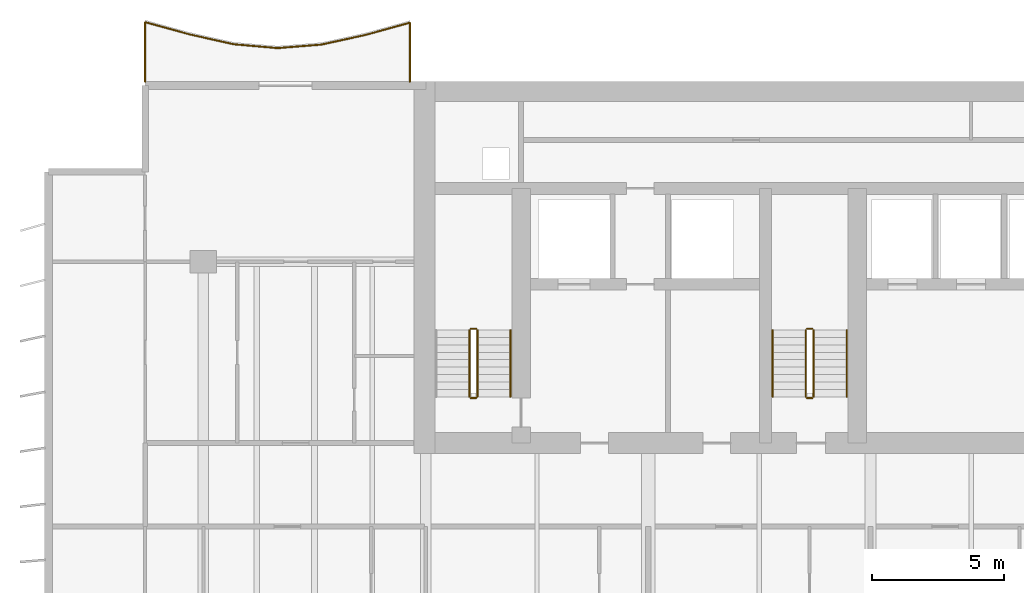
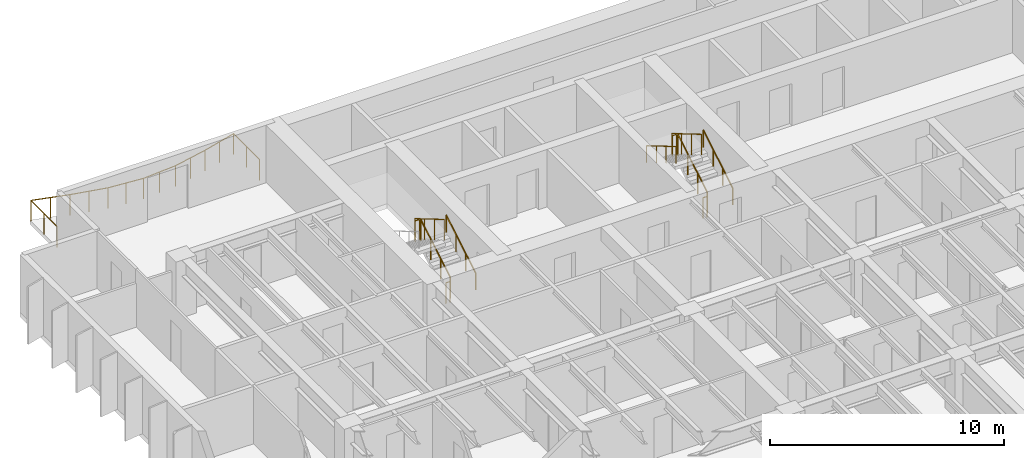
# One storey, part 17 of 19: 12 railings.
"""IFC4 building model written with IfcOpenShell, lengths in metres."""

import ifcopenshell
import ifcopenshell.guid

model = None  # the IFC model being written
_history = None  # IfcOwnerHistory: only IFC2X3 demands one
_inside = {}  # id of a spatial element -> (the spatial element, [elements in it])
_under = {}  # id of a project, library or spatial element -> (it, [spatial elements below it])
_declared = {}  # id of a project -> (the project, [libraries it declares])
_typed = {}  # id of a type object -> (the type object, [elements of that type])
_made_of = {}  # id of a material, layer set ... -> (it, [elements and type objects made of it])


def new_model(schema):
    """Start an empty IFC model of exactly this schema.

    Asked for "IFC4X3", IfcOpenShell would pick the latest addendum, in which some entities
    have other attributes; the version numbers below select the first issue.
    IFC2X3 requires an IfcOwnerHistory on every rooted entity: one is made here for all.
    """
    global model, _history
    if schema == "IFC4X3":
        model = ifcopenshell.file(schema_version=(4, 3, 0, 0))
    else:
        model = ifcopenshell.file(schema=schema)
    _inside.clear()
    _under.clear()
    _declared.clear()
    _typed.clear()
    _made_of.clear()
    _history = None
    if model.schema == "IFC2X3":
        org = make("IfcOrganization", Name="unknown")
        user = make(
            "IfcPersonAndOrganization",
            ThePerson=make("IfcPerson", FamilyName="unknown"),
            TheOrganization=org,
        )
        app = make(
            "IfcApplication",
            ApplicationDeveloper=org,
            Version="unknown",
            ApplicationFullName="unknown",
            ApplicationIdentifier="unknown",
        )
        _history = make(
            "IfcOwnerHistory",
            OwningUser=user,
            OwningApplication=app,
            ChangeAction="ADDED",
            CreationDate=0,
        )
    return model


def make(cls, **values):
    """One entity of the class cls with the attributes given. An attribute that is None is left unset."""
    return model.create_entity(
        cls, **{name: value for name, value in values.items() if value is not None}
    )


def rooted(cls, **values):
    """An entity with a GlobalId (a new one), such as an element, a storey or a relation."""
    return make(cls, GlobalId=ifcopenshell.guid.new(), OwnerHistory=_history, **values)


def si_unit(unit_type, name, prefix=None):
    """IfcSIUnit, for example si_unit("LENGTHUNIT", "METRE", prefix="MILLI")."""
    return make("IfcSIUnit", UnitType=unit_type, Prefix=prefix, Name=name)


def assignment(units):
    """IfcUnitAssignment: the units of a project."""
    return None if units is None else make("IfcUnitAssignment", Units=units)


def point(xyz):
    """IfcCartesianPoint."""
    return None if xyz is None else make("IfcCartesianPoint", Coordinates=xyz)


def direction(xyz):
    """IfcDirection."""
    return None if xyz is None else make("IfcDirection", DirectionRatios=xyz)


def frame(location, z_axis=None, x_axis=None):
    """IfcAxis2Placement3D, a coordinate frame: its origin and axes. An axis left out is left unset."""
    return make(
        "IfcAxis2Placement3D",
        Location=point(location),
        Axis=direction(z_axis),
        RefDirection=direction(x_axis),
    )


def frame_2d(location, x_axis=None):
    """IfcAxis2Placement2D, a coordinate frame in the plane: its origin and x axis."""
    return make(
        "IfcAxis2Placement2D", Location=point(location), RefDirection=direction(x_axis)
    )


def origin():
    """The frame at (0, 0, 0) with its axes left unset."""
    return frame((0.0, 0.0, 0.0))


def origin_2d():
    """The frame at (0, 0) in the plane with its x axis left unset."""
    return frame_2d((0.0, 0.0))


def place(relative_to, where):
    """IfcLocalPlacement: puts the frame where relative to a parent placement (None: the world)."""
    return make(
        "IfcLocalPlacement", PlacementRelTo=relative_to, RelativePlacement=where
    )


def context(
    kind, dimensions, precision=None, world=None, true_north=None, identifier=None
):
    """IfcGeometricRepresentationContext, for example the 3D "Model" context."""
    return make(
        "IfcGeometricRepresentationContext",
        ContextIdentifier=identifier,
        ContextType=kind,
        CoordinateSpaceDimension=dimensions,
        Precision=precision,
        WorldCoordinateSystem=world,
        TrueNorth=true_north,
    )


def subcontext(parent, identifier, kind, view, scale=None):
    """IfcGeometricRepresentationSubContext, for example "Body" below "Model"."""
    return make(
        "IfcGeometricRepresentationSubContext",
        ContextIdentifier=identifier,
        ContextType=kind,
        ParentContext=parent,
        TargetScale=scale,
        TargetView=view,
    )


def project(units=None, contexts=None):
    """IfcProject with its units and contexts."""
    return rooted(
        "IfcProject",
        Name="project",
        RepresentationContexts=contexts,
        UnitsInContext=assignment(units),
    )


def spatial(cls, under=None, at=None, **own):
    """A site, building, storey or space (cls), placed at a placement, below another one or the project."""
    s = rooted(cls, ObjectPlacement=at, **own)
    if under is not None:
        _under.setdefault(under.id(), (under, []))[1].append(s)
    return s


def profile(cls, at=None, kind="AREA", **sizes):
    """A parametric profile (cls). Its sizes go by their IFC names, for example OverallWidth=200.0."""
    return make(cls, ProfileType=kind, Position=at, **sizes)


def circle(**sizes):
    """IfcCircleProfileDef."""
    return profile("IfcCircleProfileDef", **sizes)


def extrude(swept, where, along, depth):
    """IfcExtrudedAreaSolid: the profile swept, set in the frame where, extruded along a direction by depth."""
    return make(
        "IfcExtrudedAreaSolid",
        SweptArea=swept,
        Position=where,
        ExtrudedDirection=direction(along),
        Depth=depth,
    )


def shape(context_of_items, identifier, shape_type, items):
    """IfcShapeRepresentation: the items that make up one representation, for example the "Body"."""
    return make(
        "IfcShapeRepresentation",
        ContextOfItems=context_of_items,
        RepresentationIdentifier=identifier,
        RepresentationType=shape_type,
        Items=items,
    )


def material(Name=None, Category=None):
    """IfcMaterial."""
    return make("IfcMaterial", Name=Name, Category=Category)


def made_of(thing, what):
    """Note that an element or type object is made of a material, layer set ...; save() writes the relation."""
    if what is not None:
        _made_of.setdefault(what.id(), (what, []))[1].append(thing)
    return thing


def type_object(cls, material=None, **own):
    """A type object (cls), such as IfcWallType, which elements share."""
    return made_of(rooted(cls, **own), material)


def element(
    cls,
    number,
    at=None,
    inside=None,
    cuts=None,
    type_object=None,
    material=None,
    context=None,
    identifier="Body",
    shape_type=None,
    held_by="IfcProductDefinitionShape",
    body=None,
    shapes=None,
    **own,
):
    """One element of the class cls, such as IfcWall. Its Tag is "e" and its number.

    at: its placement. inside: the storey or other place that contains it. cuts: it is an
    opening in that element (IfcRelVoidsElement). A single representation is given by context,
    identifier, shape_type and body (its items); several are given by shapes. held_by: the class
    of the entity that holds the representations. save() writes the other relations.
    """
    e = rooted(cls, Tag="e%d" % number, ObjectPlacement=at, **own)
    if body is not None:
        shapes = [shape(context, identifier, shape_type, body)]
    if shapes is not None:
        e.Representation = make(held_by, Representations=shapes)
    if inside is not None:
        _inside.setdefault(inside.id(), (inside, []))[1].append(e)
    if cuts is not None:
        rooted(
            "IfcRelVoidsElement", RelatingBuildingElement=cuts, RelatedOpeningElement=e
        )
    if type_object is not None:
        _typed.setdefault(type_object.id(), (type_object, []))[1].append(e)
    return made_of(e, material)


def aggregate(whole, parts):
    """IfcRelAggregates: a whole, such as a stair, and the parts it consists of."""
    return rooted("IfcRelAggregates", RelatingObject=whole, RelatedObjects=parts)


def save(model, path):
    """Write the relations noted so far, then the file.

    IfcRelAggregates (storeys below a building ...), IfcRelContainedInSpatialStructure (elements
    in a storey), IfcRelDefinesByType, IfcRelAssociatesMaterial and IfcRelDeclares: one each for
    every whole, place, type object, material and project.
    """
    for whole, parts in _under.values():
        aggregate(whole, parts)
    for where, things in _inside.values():
        rooted(
            "IfcRelContainedInSpatialStructure",
            RelatedElements=things,
            RelatingStructure=where,
        )
    for kind, things in _typed.values():
        rooted("IfcRelDefinesByType", RelatedObjects=things, RelatingType=kind)
    for what, things in _made_of.values():
        rooted("IfcRelAssociatesMaterial", RelatedObjects=things, RelatingMaterial=what)
    for by, libraries in _declared.values():
        rooted("IfcRelDeclares", RelatingContext=by, RelatedDefinitions=libraries)
    model.write(path)


model = new_model("IFC4")

# Units and contexts
model_context = context("Model", 3, precision=1e-05, world=origin(), true_north=direction((0.0, 1.0)))
body_context = subcontext(model_context, "Body", "Model", "MODEL_VIEW")
ifc_project = project(units=[si_unit("LENGTHUNIT", "METRE"), si_unit("AREAUNIT", "SQUARE_METRE"), si_unit("VOLUMEUNIT", "CUBIC_METRE"), si_unit("PLANEANGLEUNIT", "RADIAN"), si_unit("MASSUNIT", "GRAM", prefix="KILO")], contexts=[model_context])

# Site, building, storey
site_placement = place(None, origin())
site = spatial("IfcSite", under=ifc_project, at=site_placement, CompositionType="ELEMENT")
building_placement = place(site_placement, origin())
building = spatial("IfcBuilding", under=site, at=building_placement, Name="Caelmar Bay Residences", CompositionType="ELEMENT")
storey_placement = place(building_placement, frame((0.0, 0.0, 94.5)))
storey = spatial("IfcBuildingStorey", under=building, at=storey_placement, Name="L25", CompositionType="ELEMENT", Elevation=94.5)

# Railings
ifc_material_1 = material(Name="Anodised bronze handrail with laminated hurricane glass infill", Category="glass")
railing_type_1 = type_object("IfcRailingType", Name="RL-BAL-1100", PredefinedType="BALUSTRADE", material=ifc_material_1)
railing_1_placement = place(storey_placement, frame((17.699951171875, 50.60009765625, 0.0)))
element("IfcRailing", 1, at=railing_1_placement, inside=storey, type_object=railing_type_1, Name="L25 north_west Balcony Balustrade", PredefinedType="BALUSTRADE", context=body_context, shape_type="SweptSolid", body=[
    extrude(circle(Radius=0.02392578125, at=origin_2d()), frame((0.0, 0.0, 1.076171875), z_axis=(0.0, 1.0, 0.0), x_axis=(-1.0, 0.0, 0.0)), (0.0, 0.0, 1.0), 2.230224609375),
    extrude(circle(Radius=0.02392578125, at=origin_2d()), frame((0.0, 2.230224609375, 1.076171875), z_axis=(-0.964003851304, -0.265888274792, 0.0), x_axis=(0.265888274792, -0.964003851304, 0.0)), (0.0, 0.0, 1.0), 1.72900390625),
    extrude(circle(Radius=0.02392578125, at=origin_2d()), frame((-1.666748046875, 1.7705078125, 1.076171875), z_axis=(-0.97672606775, -0.214490532604, 0.0), x_axis=(0.214490532604, -0.97672606775, 0.0)), (0.0, 0.0, 1.0), 1.706298828125),
    extrude(circle(Radius=0.02392578125, at=origin_2d()), frame((-3.333251953125, 1.404541015625, 1.076171875), z_axis=(-0.996758858584, -0.080447360639, 0.0), x_axis=(0.080447360639, -0.996758858584, 0.0)), (0.0, 0.0, 1.0), 1.672119140625),
    extrude(circle(Radius=0.02392578125, at=origin_2d()), frame((-5.0, 1.27001953125, 1.076171875), z_axis=(-0.99610915751, 0.088128011006, 0.0), x_axis=(-0.088128011006, -0.99610915751, 0.0)), (0.0, 0.0, 1.0), 1.67333984375),
    extrude(circle(Radius=0.02392578125, at=origin_2d()), frame((-6.666748046875, 1.41748046875, 1.076171875), z_axis=(-0.975696921585, 0.219124433166, 0.0), x_axis=(-0.219124433166, -0.975696921585, 0.0)), (0.0, 0.0, 1.0), 1.7080078125),
    extrude(circle(Radius=0.02392578125, at=origin_2d()), frame((-8.333251953125, 1.791748046875, 1.076171875), z_axis=(-0.963967650546, 0.266019489326, 0.0), x_axis=(-0.266019489326, -0.963967650546, 0.0)), (0.0, 0.0, 1.0), 1.72900390625),
    extrude(circle(Radius=0.02392578125, at=origin_2d()), frame((-10.0, 2.251708984375, 1.076171875), z_axis=(0.0, -1.0, 0.0), x_axis=(1.0, 0.0, 0.0)), (0.0, 0.0, 1.0), 2.251708984375),
    extrude(circle(Radius=0.02099609375, at=origin_2d()), origin(), (0.0, 0.0, 1.0), 1.052001953125),
    extrude(circle(Radius=0.02099609375, at=origin_2d()), frame((0.0, 1.115234375, 0.0)), (0.0, 0.0, 1.0), 1.052001953125),
    extrude(circle(Radius=0.02099609375, at=origin_2d()), frame((0.0, 2.230224609375, 0.0)), (0.0, 0.0, 1.0), 1.052001953125),
    extrude(circle(Radius=0.02099609375, at=origin_2d()), frame((-0.83349609375, 2.00048828125, 0.0)), (0.0, 0.0, 1.0), 1.052001953125),
    extrude(circle(Radius=0.02099609375, at=origin_2d()), frame((-1.666748046875, 1.7705078125, 0.0)), (0.0, 0.0, 1.0), 1.052001953125),
    extrude(circle(Radius=0.02099609375, at=origin_2d()), frame((-2.5, 1.58740234375, 0.0)), (0.0, 0.0, 1.0), 1.052001953125),
    extrude(circle(Radius=0.02099609375, at=origin_2d()), frame((-3.333251953125, 1.404541015625, 0.0)), (0.0, 0.0, 1.0), 1.052001953125),
    extrude(circle(Radius=0.02099609375, at=origin_2d()), frame((-4.16650390625, 1.33740234375, 0.0)), (0.0, 0.0, 1.0), 1.052001953125),
    extrude(circle(Radius=0.02099609375, at=origin_2d()), frame((-5.0, 1.27001953125, 0.0)), (0.0, 0.0, 1.0), 1.052001953125),
    extrude(circle(Radius=0.02099609375, at=origin_2d()), frame((-5.83349609375, 1.34375, 0.0)), (0.0, 0.0, 1.0), 1.052001953125),
    extrude(circle(Radius=0.02099609375, at=origin_2d()), frame((-6.666748046875, 1.41748046875, 0.0)), (0.0, 0.0, 1.0), 1.052001953125),
    extrude(circle(Radius=0.02099609375, at=origin_2d()), frame((-7.5, 1.6044921875, 0.0)), (0.0, 0.0, 1.0), 1.052001953125),
    extrude(circle(Radius=0.02099609375, at=origin_2d()), frame((-8.333251953125, 1.791748046875, 0.0)), (0.0, 0.0, 1.0), 1.052001953125),
    extrude(circle(Radius=0.02099609375, at=origin_2d()), frame((-9.16650390625, 2.021728515625, 0.0)), (0.0, 0.0, 1.0), 1.052001953125),
    extrude(circle(Radius=0.02099609375, at=origin_2d()), frame((-10.0, 2.251708984375, 0.0)), (0.0, 0.0, 1.0), 1.052001953125),
    extrude(circle(Radius=0.02099609375, at=origin_2d()), frame((-10.0, 1.1259765625, 0.0)), (0.0, 0.0, 1.0), 1.052001953125),
    extrude(circle(Radius=0.02099609375, at=origin_2d()), frame((-10.0, 0.0, 0.0)), (0.0, 0.0, 1.0), 1.052001953125),
])
ifc_material_2 = material(Name="Painted galvanized steel stair guard 1100 mm", Category="steel")
railing_type_2 = type_object("IfcRailingType", Name="RL-GRD-1100", PredefinedType="GUARDRAIL", material=ifc_material_2)
railing_2_placement = place(storey_placement, frame((20.25, 38.699951171875, 0.1650390625)))
element("IfcRailing", 2, at=railing_2_placement, inside=storey, type_object=railing_type_2, Name="L25 ST1 stair guard 1", PredefinedType="GUARDRAIL", context=body_context, shape_type="SweptSolid", body=[
    extrude(circle(Radius=0.02392578125, at=origin_2d()), frame((0.0, 0.0, 1.076171875), z_axis=(0.0, 0.861560626758, 0.507654692109), x_axis=(-1.0, 0.0, 0.0)), (0.0, 0.0, 1.0), 2.925048828125),
    extrude(circle(Radius=0.02099609375, at=origin_2d()), origin(), (0.0, 0.0, 1.0), 1.052001953125),
    extrude(circle(Radius=0.02099609375, at=origin_2d()), frame((0.0, 0.840087890625, 0.494873046875)), (0.0, 0.0, 1.0), 1.052001953125),
    extrude(circle(Radius=0.02099609375, at=origin_2d()), frame((0.0, 1.679931640625, 0.989990234375)), (0.0, 0.0, 1.0), 1.052001953125),
    extrude(circle(Radius=0.02099609375, at=origin_2d()), frame((0.0, 2.52001953125, 1.48486328125)), (0.0, 0.0, 1.0), 1.052001953125),
])
railing_3_placement = place(storey_placement, frame((20.199951171875, 41.27001953125, 1.64990234375)))
element("IfcRailing", 3, at=railing_3_placement, inside=storey, type_object=railing_type_2, Name="L25 ST1 stair guard 2", PredefinedType="GUARDRAIL", context=body_context, shape_type="SweptSolid", body=[
    extrude(circle(Radius=0.02392578125, at=origin_2d()), frame((0.0, 0.0, 1.076171875), z_axis=(-1.0, 0.0, 0.0), x_axis=(0.0, -1.0, 0.0)), (0.0, 0.0, 1.0), 0.199951171875),
    extrude(circle(Radius=0.02099609375, at=origin_2d()), origin(), (0.0, 0.0, 1.0), 1.052001953125),
    extrude(circle(Radius=0.02099609375, at=origin_2d()), frame((-0.199951171875, 0.0, 0.0)), (0.0, 0.0, 1.0), 1.052001953125),
])
railing_4_placement = place(storey_placement, frame((19.949951171875, 41.219970703125, 1.81494140625)))
element("IfcRailing", 4, at=railing_4_placement, inside=storey, type_object=railing_type_2, Name="L25 ST1 stair guard 3", PredefinedType="GUARDRAIL", context=body_context, shape_type="SweptSolid", body=[
    extrude(circle(Radius=0.02392578125, at=origin_2d()), frame((0.0, 0.0, 1.076171875), z_axis=(0.0, -0.86152411907, 0.507716645641), x_axis=(1.0, 0.0, 0.0)), (0.0, 0.0, 1.0), 2.925048828125),
    extrude(circle(Radius=0.02099609375, at=origin_2d()), origin(), (0.0, 0.0, 1.0), 1.052001953125),
    extrude(circle(Radius=0.02099609375, at=origin_2d()), frame((0.0, -0.840087890625, 0.4951171875)), (0.0, 0.0, 1.0), 1.052001953125),
    extrude(circle(Radius=0.02099609375, at=origin_2d()), frame((0.0, -1.679931640625, 0.989990234375)), (0.0, 0.0, 1.0), 1.052001953125),
    extrude(circle(Radius=0.02099609375, at=origin_2d()), frame((0.0, -2.52001953125, 1.485107421875)), (0.0, 0.0, 1.0), 1.052001953125),
])
railing_5_placement = place(storey_placement, frame((20.199951171875, 38.64990234375, 0.0)))
element("IfcRailing", 5, at=railing_5_placement, inside=storey, type_object=railing_type_2, Name="L25 ST1 stair guard 4", PredefinedType="GUARDRAIL", context=body_context, shape_type="SweptSolid", body=[
    extrude(circle(Radius=0.02392578125, at=origin_2d()), frame((0.0, 0.0, 1.076171875), z_axis=(-1.0, 0.0, 0.0), x_axis=(0.0, -1.0, 0.0)), (0.0, 0.0, 1.0), 0.199951171875),
    extrude(circle(Radius=0.02099609375, at=origin_2d()), origin(), (0.0, 0.0, 1.0), 1.052001953125),
    extrude(circle(Radius=0.02099609375, at=origin_2d()), frame((-0.199951171875, 0.0, 0.0)), (0.0, 0.0, 1.0), 1.052001953125),
])
railing_6_placement = place(storey_placement, frame((32.949951171875, 38.699951171875, 0.1650390625)))
element("IfcRailing", 6, at=railing_6_placement, inside=storey, type_object=railing_type_2, Name="L25 ST3 stair guard 1", PredefinedType="GUARDRAIL", context=body_context, shape_type="SweptSolid", body=[
    extrude(circle(Radius=0.02392578125, at=origin_2d()), frame((0.0, 0.0, 1.076171875), z_axis=(0.0, 0.861560626758, 0.507654692109), x_axis=(-1.0, 0.0, 0.0)), (0.0, 0.0, 1.0), 2.925048828125),
    extrude(circle(Radius=0.02099609375, at=origin_2d()), origin(), (0.0, 0.0, 1.0), 1.052001953125),
    extrude(circle(Radius=0.02099609375, at=origin_2d()), frame((0.0, 0.840087890625, 0.494873046875)), (0.0, 0.0, 1.0), 1.052001953125),
    extrude(circle(Radius=0.02099609375, at=origin_2d()), frame((0.0, 1.679931640625, 0.989990234375)), (0.0, 0.0, 1.0), 1.052001953125),
    extrude(circle(Radius=0.02099609375, at=origin_2d()), frame((0.0, 2.52001953125, 1.48486328125)), (0.0, 0.0, 1.0), 1.052001953125),
])
railing_7_placement = place(storey_placement, frame((32.89990234375, 41.27001953125, 1.64990234375)))
element("IfcRailing", 7, at=railing_7_placement, inside=storey, type_object=railing_type_2, Name="L25 ST3 stair guard 2", PredefinedType="GUARDRAIL", context=body_context, shape_type="SweptSolid", body=[
    extrude(circle(Radius=0.02392578125, at=origin_2d()), frame((0.0, 0.0, 1.076171875), z_axis=(-1.0, 0.0, 0.0), x_axis=(0.0, -1.0, 0.0)), (0.0, 0.0, 1.0), 0.199951171875),
    extrude(circle(Radius=0.02099609375, at=origin_2d()), origin(), (0.0, 0.0, 1.0), 1.052001953125),
    extrude(circle(Radius=0.02099609375, at=origin_2d()), frame((-0.199951171875, 0.0, 0.0)), (0.0, 0.0, 1.0), 1.052001953125),
])
railing_8_placement = place(storey_placement, frame((32.64990234375, 41.219970703125, 1.81494140625)))
element("IfcRailing", 8, at=railing_8_placement, inside=storey, type_object=railing_type_2, Name="L25 ST3 stair guard 3", PredefinedType="GUARDRAIL", context=body_context, shape_type="SweptSolid", body=[
    extrude(circle(Radius=0.02392578125, at=origin_2d()), frame((0.0, 0.0, 1.076171875), z_axis=(0.0, -0.86152411907, 0.507716645641), x_axis=(1.0, 0.0, 0.0)), (0.0, 0.0, 1.0), 2.925048828125),
    extrude(circle(Radius=0.02099609375, at=origin_2d()), origin(), (0.0, 0.0, 1.0), 1.052001953125),
    extrude(circle(Radius=0.02099609375, at=origin_2d()), frame((0.0, -0.840087890625, 0.4951171875)), (0.0, 0.0, 1.0), 1.052001953125),
    extrude(circle(Radius=0.02099609375, at=origin_2d()), frame((0.0, -1.679931640625, 0.989990234375)), (0.0, 0.0, 1.0), 1.052001953125),
    extrude(circle(Radius=0.02099609375, at=origin_2d()), frame((0.0, -2.52001953125, 1.485107421875)), (0.0, 0.0, 1.0), 1.052001953125),
])
railing_9_placement = place(storey_placement, frame((32.89990234375, 38.64990234375, 0.0)))
element("IfcRailing", 9, at=railing_9_placement, inside=storey, type_object=railing_type_2, Name="L25 ST3 stair guard 4", PredefinedType="GUARDRAIL", context=body_context, shape_type="SweptSolid", body=[
    extrude(circle(Radius=0.02392578125, at=origin_2d()), frame((0.0, 0.0, 1.076171875), z_axis=(-1.0, 0.0, 0.0), x_axis=(0.0, -1.0, 0.0)), (0.0, 0.0, 1.0), 0.199951171875),
    extrude(circle(Radius=0.02099609375, at=origin_2d()), origin(), (0.0, 0.0, 1.0), 1.052001953125),
    extrude(circle(Radius=0.02099609375, at=origin_2d()), frame((-0.199951171875, 0.0, 0.0)), (0.0, 0.0, 1.0), 1.052001953125),
])
ifc_material_3 = material(Name="Brushed bronze stainless-steel tubular handrail 900 mm", Category="steel")
railing_type_3 = type_object("IfcRailingType", Name="RL-HND-900", PredefinedType="HANDRAIL", material=ifc_material_3)
for number, where, name in (
    (10, (21.5, 38.699951171875, 0.1650390625), "L25 ST1 stair handrail 1"),
    (11, (34.199951171875, 38.699951171875, 0.1650390625), "L25 ST3 stair handrail 1"),
):
    element("IfcRailing", number, at=place(storey_placement, frame(where)), inside=storey, type_object=railing_type_3, Name=name, PredefinedType="HANDRAIL", context=body_context, shape_type="SweptSolid", body=[
        extrude(circle(Radius=0.02392578125, at=origin_2d()), frame((0.0, 0.0, 0.8759765625), z_axis=(0.0, 0.861560626758, 0.507654692109), x_axis=(-1.0, 0.0, 0.0)), (0.0, 0.0, 1.0), 2.925048828125),
        extrude(circle(Radius=0.02099609375, at=origin_2d()), origin(), (0.0, 0.0, 1.0), 0.851806640625),
        extrude(circle(Radius=0.02099609375, at=origin_2d()), frame((0.0, 0.840087890625, 0.494873046875)), (0.0, 0.0, 1.0), 0.851806640625),
        extrude(circle(Radius=0.02099609375, at=origin_2d()), frame((0.0, 1.679931640625, 0.989990234375)), (0.0, 0.0, 1.0), 0.851806640625),
        extrude(circle(Radius=0.02099609375, at=origin_2d()), frame((0.0, 2.52001953125, 1.48486328125)), (0.0, 0.0, 1.0), 0.851806640625),
    ])
railing_10_placement = place(storey_placement, frame((31.39990234375, 41.219970703125, 1.81494140625)))
element("IfcRailing", 12, at=railing_10_placement, inside=storey, type_object=railing_type_3, Name="L25 ST3 stair handrail 2", PredefinedType="HANDRAIL", context=body_context, shape_type="SweptSolid", body=[
    extrude(circle(Radius=0.02392578125, at=origin_2d()), frame((0.0, 0.0, 0.8759765625), z_axis=(0.0, -0.86152411907, 0.507716645641), x_axis=(1.0, 0.0, 0.0)), (0.0, 0.0, 1.0), 2.925048828125),
    extrude(circle(Radius=0.02099609375, at=origin_2d()), origin(), (0.0, 0.0, 1.0), 0.851806640625),
    extrude(circle(Radius=0.02099609375, at=origin_2d()), frame((0.0, -0.840087890625, 0.4951171875)), (0.0, 0.0, 1.0), 0.851806640625),
    extrude(circle(Radius=0.02099609375, at=origin_2d()), frame((0.0, -1.679931640625, 0.989990234375)), (0.0, 0.0, 1.0), 0.851806640625),
    extrude(circle(Radius=0.02099609375, at=origin_2d()), frame((0.0, -2.52001953125, 1.485107421875)), (0.0, 0.0, 1.0), 0.851806640625),
])

save(model, "model.ifc")
